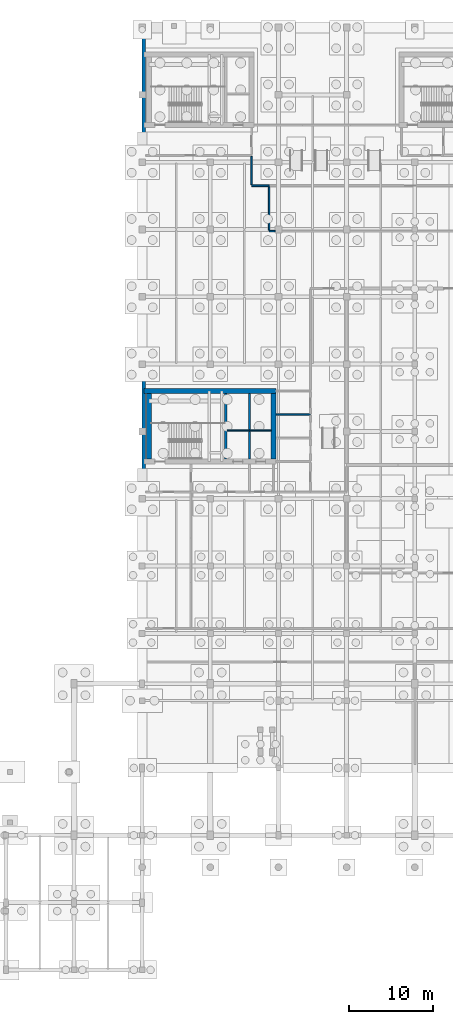
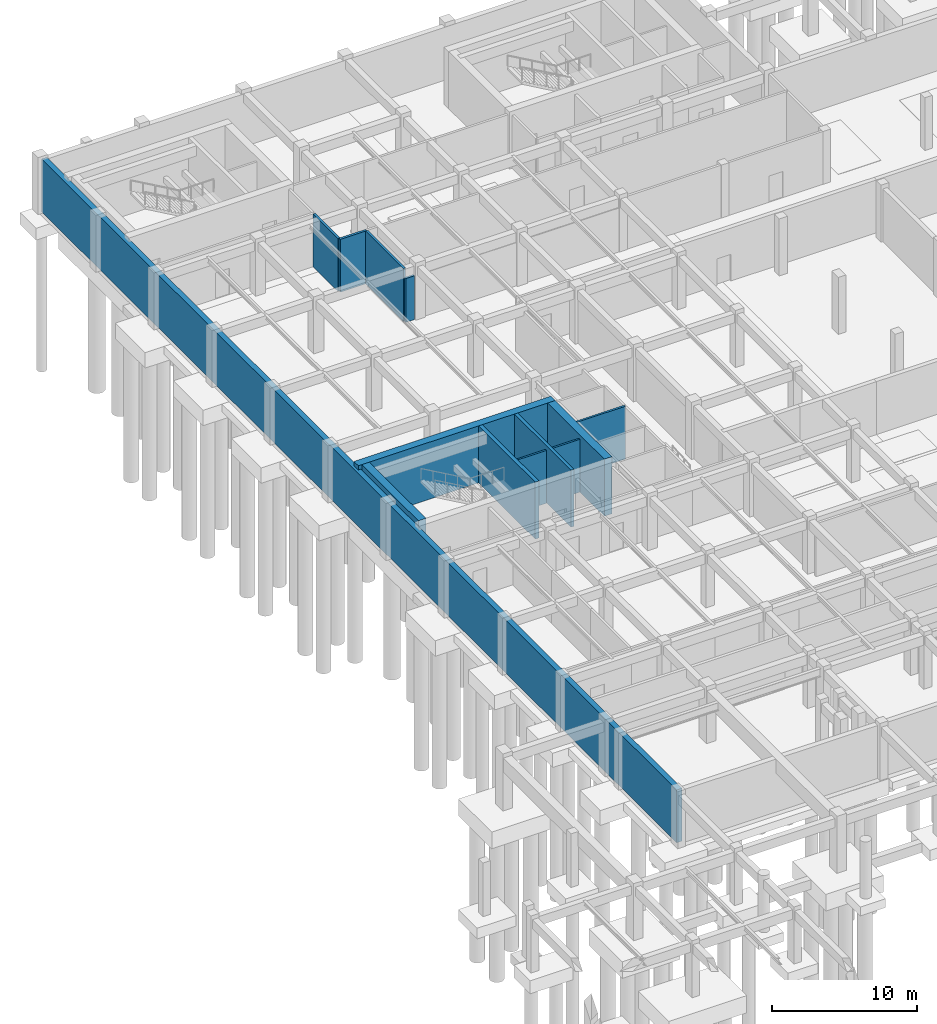
# One storey, part 16 of 25: 12 walls.
"""IFC4 building model written with IfcOpenShell, lengths in metres."""

from ifc_helpers import new_model, si_unit, direction, frame, frame_2d, origin, place, context, subcontext, project, spatial, rectangle, extrude, material, layer, layer_set, type_object, element, save


model = new_model("IFC4")

# Units and contexts
model_context = context("Model", 3, precision=1e-05, world=origin(), true_north=direction((0.0, 1.0)))
body_context = subcontext(model_context, "Body", "Model", "MODEL_VIEW")
ifc_project = project(units=[si_unit("LENGTHUNIT", "METRE"), si_unit("AREAUNIT", "SQUARE_METRE"), si_unit("VOLUMEUNIT", "CUBIC_METRE"), si_unit("PLANEANGLEUNIT", "RADIAN"), si_unit("MASSUNIT", "GRAM", prefix="KILO")], contexts=[model_context])

# Site, building, storey
site_placement = place(None, origin())
site = spatial("IfcSite", under=ifc_project, at=site_placement, CompositionType="ELEMENT")
building_placement = place(site_placement, origin())
building = spatial("IfcBuilding", under=site, at=building_placement, Name="Tarnveldt Square Police Headquarters", CompositionType="ELEMENT")
storey_placement = place(building_placement, frame((0.0, 0.0, -4.800048828125)))
storey = spatial("IfcBuildingStorey", under=building, at=storey_placement, Name="B1", CompositionType="ELEMENT", Elevation=-4.800048828125)

# Walls
ifc_material_1 = material(Name="Concrete 50 MPa", Category="concrete")
ifc_layer_1 = layer(ifc_material_1, 0.449951171875)
ifc_layer_set_1 = layer_set([ifc_layer_1], Name="Concrete 50 MPa")
wall_type_1 = type_object("IfcWallType", Name="WL-CORE-450", PredefinedType="SHEAR", material=ifc_layer_set_1)
wall_1_placement = place(storey_placement, frame((26.14990234375, 60.699951171875, 0.0), z_axis=(0.0, 0.0, 1.0), x_axis=(0.0, 1.0, 0.0)))
element("IfcWall", 1, at=wall_1_placement, inside=storey, type_object=wall_type_1, Name="Core K1 South-West Command and Firefighting Core B1 Stair-Lift Divider Shear Wall", PredefinedType="SHEAR", context=body_context, shape_type="SweptSolid", body=[
    extrude(rectangle(XDim=7.800048828125, YDim=0.300048828125, at=frame_2d((3.89990234375, 0.0))), origin(), (0.0, 0.0, 1.0), 4.800048828125),
])
wall_2_placement = place(storey_placement, frame((28.97509765625, 60.699951171875, 0.0), z_axis=(0.0, 0.0, 1.0), x_axis=(0.0, 1.0, 0.0)))
element("IfcWall", 2, at=wall_2_placement, inside=storey, type_object=wall_type_1, Name="Core K1 South-West Command and Firefighting Core B1 Dual-Lift Shaft Divider Wall", PredefinedType="SHEAR", context=body_context, shape_type="SweptSolid", body=[
    extrude(rectangle(XDim=7.800048828125, YDim=0.25, at=frame_2d((3.89990234375, 0.0))), origin(), (0.0, 0.0, 1.0), 4.800048828125),
])
ifc_layer_2 = layer(ifc_material_1, 0.60009765625)
ifc_layer_set_2 = layer_set([ifc_layer_2], Name="Concrete 50 MPa")
wall_type_2 = type_object("IfcWallType", Name="WL-CORE-600", PredefinedType="SHEAR", material=ifc_layer_set_2)
wall_3_placement = place(storey_placement, frame((16.419921875, 68.800048828125, 0.0), z_axis=(0.0, 0.0, 1.0), x_axis=(1.0, 0.0, 0.0)))
element("IfcWall", 3, at=wall_3_placement, inside=storey, type_object=wall_type_2, Name="Core K1 South-West Command and Firefighting Core B1 North Shear Wall", PredefinedType="SHEAR", context=body_context, shape_type="SweptSolid", body=[
    extrude(rectangle(XDim=15.68017578125, YDim=0.60009765625, at=frame_2d((7.840087890625, 0.0))), origin(), (0.0, 0.0, 1.0), 4.800048828125),
])
for number, where, z_axis, x_axis, name in (
    (4, (17.0, 60.699951171875, 0.0), (0.0, 0.0, 1.0), (0.0, 1.0, 0.0), "Core K1 South-West Command and Firefighting Core B1 West Shear Wall"),
    (5, (31.800048828125, 60.699951171875, 0.0), (0.0, 0.0, 1.0), (0.0, 1.0, 0.0), "Core K1 South-West Command and Firefighting Core B1 East Shear Wall"),
):
    element("IfcWall", number, at=place(storey_placement, frame(where, z_axis=z_axis, x_axis=x_axis)), inside=storey, type_object=wall_type_2, Name=name, PredefinedType="SHEAR", context=body_context, shape_type="SweptSolid", body=[
        extrude(rectangle(XDim=7.800048828125, YDim=0.60009765625, at=frame_2d((3.89990234375, 0.0))), origin(), (0.0, 0.0, 1.0), 4.800048828125),
    ])
ifc_material_2 = material(Name="Fire-rated Type X gypsum board on steel studs", Category="steel")
ifc_layer_3 = layer(ifc_material_2, 0.179931640625)
ifc_layer_set_3 = layer_set([ifc_layer_3], Name="Fire-rated Type X gypsum board on steel studs")
wall_type_3 = type_object("IfcWallType", Name="WL-FIRE-180", PredefinedType="PARTITIONING", material=ifc_layer_set_3)
wall_4_placement = place(storey_placement, frame((29.199951171875, 93.199951171875, 0.0), z_axis=(0.0, 0.0, 1.0), x_axis=(1.0, 0.0, 0.0)))
element("IfcWall", 6, at=wall_4_placement, inside=storey, type_object=wall_type_3, Name="B1 Interior Partition Wall 0016", PredefinedType="PARTITIONING", context=body_context, shape_type="SweptSolid", body=[
    extrude(rectangle(XDim=2.10009765625, YDim=0.179931640625, at=frame_2d((1.050048828125, 0.0))), origin(), (0.0, 0.0, 1.0), 4.449951171875),
])
wall_5_placement = place(storey_placement, frame((31.300048828125, 87.800048828125, 0.0), z_axis=(0.0, 0.0, 1.0), x_axis=(1.0, 0.0, 0.0)))
element("IfcWall", 7, at=wall_5_placement, inside=storey, type_object=wall_type_3, Name="B1 Interior Partition Wall 0020", PredefinedType="PARTITIONING", context=body_context, shape_type="SweptSolid", body=[
    extrude(rectangle(XDim=0.69189453125, YDim=0.179931640625, at=frame_2d((0.345947265625, 0.0))), origin(), (0.0, 0.0, 1.0), 3.692138671875),
])
wall_6_placement = place(storey_placement, frame((29.199951171875, 93.298095703125, 0.0), z_axis=(0.0, 0.0, 1.0), x_axis=(0.0, 1.0, 0.0)))
element("IfcWall", 8, at=wall_6_placement, inside=storey, type_object=wall_type_3, Name="B1 Interior Partition Wall 0057", PredefinedType="PARTITIONING", context=body_context, shape_type="SweptSolid", body=[
    extrude(rectangle(XDim=3.40380859375, YDim=0.179931640625, at=frame_2d((1.701904296875, 0.0))), origin(), (0.0, 0.0, 1.0), 4.449951171875),
])
wall_7_placement = place(storey_placement, frame((31.300048828125, 87.89794921875, 0.0), z_axis=(0.0, 0.0, 1.0), x_axis=(0.0, 1.0, 0.0)))
element("IfcWall", 9, at=wall_7_placement, inside=storey, type_object=wall_type_3, Name="B1 Interior Partition Wall 0059", PredefinedType="PARTITIONING", context=body_context, shape_type="SweptSolid", body=[
    extrude(rectangle(XDim=5.2041015625, YDim=0.179931640625, at=frame_2d((2.60205078125, 0.0))), origin(), (0.0, 0.0, 1.0), 4.449951171875),
])
ifc_material_3 = material(Name="Concrete 40 MPa", Category="concrete")
ifc_layer_4 = layer(ifc_material_3, 0.419921875)
ifc_layer_set_4 = layer_set([ifc_layer_4], Name="Concrete 40 MPa")
wall_type_4 = type_object("IfcWallType", Name="WL-RET-420", PredefinedType="USERDEFINED", material=ifc_layer_set_4)
wall_8_placement = place(storey_placement, frame((16.409912109375, 24.2099609375, 0.0), z_axis=(0.0, 0.0, 1.0), x_axis=(0.0, 1.0, 0.0)))
element("IfcWall", 10, at=wall_8_placement, inside=storey, type_object=wall_type_4, Name="Basement Perimeter Retaining Wall 02", ObjectType="RETAINING WALL", PredefinedType="USERDEFINED", context=body_context, shape_type="SweptSolid", body=[
    extrude(rectangle(XDim=87.580078125, YDim=0.419921875, at=frame_2d((43.7900390625, 0.0))), origin(), (0.0, 0.0, 1.0), 4.449951171875),
])
ifc_layer_5 = layer(ifc_material_2, 0.14990234375)
ifc_layer_set_5 = layer_set([ifc_layer_5], Name="Fire-rated Type X gypsum board on steel studs")
wall_type_5 = type_object("IfcWallType", Name="WL-SHAFT-150", PredefinedType="PARTITIONING", material=ifc_layer_set_5)
wall_9_placement = place(storey_placement, frame((26.300048828125, 64.1201171875, 0.0), z_axis=(0.0, 0.0, 1.0), x_axis=(1.0, 0.0, 0.0)))
element("IfcWall", 11, at=wall_9_placement, inside=storey, type_object=wall_type_5, Name="K1 B1 Elevator Shaft Back Wall", PredefinedType="PARTITIONING", context=body_context, shape_type="SweptSolid", body=[
    extrude(rectangle(XDim=5.25, YDim=0.14990234375, at=frame_2d((2.625, 0.0))), origin(), (0.0, 0.0, 1.0), 4.449951171875),
])
ifc_material_4 = material(Name="Concrete block masonry 15 MPa", Category="masonry")
ifc_layer_6 = layer(ifc_material_4, 0.159912109375)
ifc_layer_set_6 = layer_set([ifc_layer_6], Name="Concrete block masonry 15 MPa")
wall_type_6 = type_object("IfcWallType", Name="WL-WET-160", PredefinedType="PARTITIONING", material=ifc_layer_set_6)
wall_10_placement = place(storey_placement, frame((32.10791015625, 66.0, 0.0), z_axis=(0.0, 0.0, 1.0), x_axis=(1.0, 0.0, 0.0)))
element("IfcWall", 12, at=wall_10_placement, inside=storey, type_object=wall_type_6, Name="B1 Interior Partition Wall 0029", PredefinedType="PARTITIONING", context=body_context, shape_type="SweptSolid", body=[
    extrude(rectangle(XDim=4.092041015625, YDim=0.159912109375, at=frame_2d((2.0458984375, 0.0))), origin(), (0.0, 0.0, 1.0), 4.449951171875),
])

save(model, "model.ifc")
